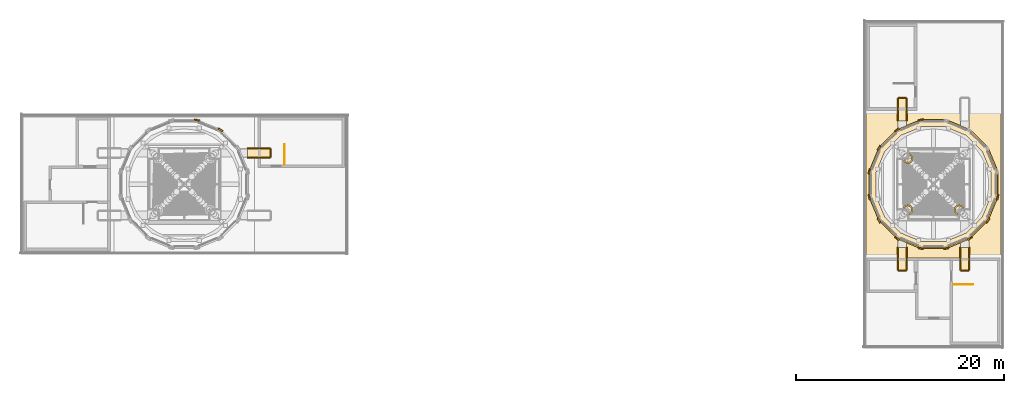
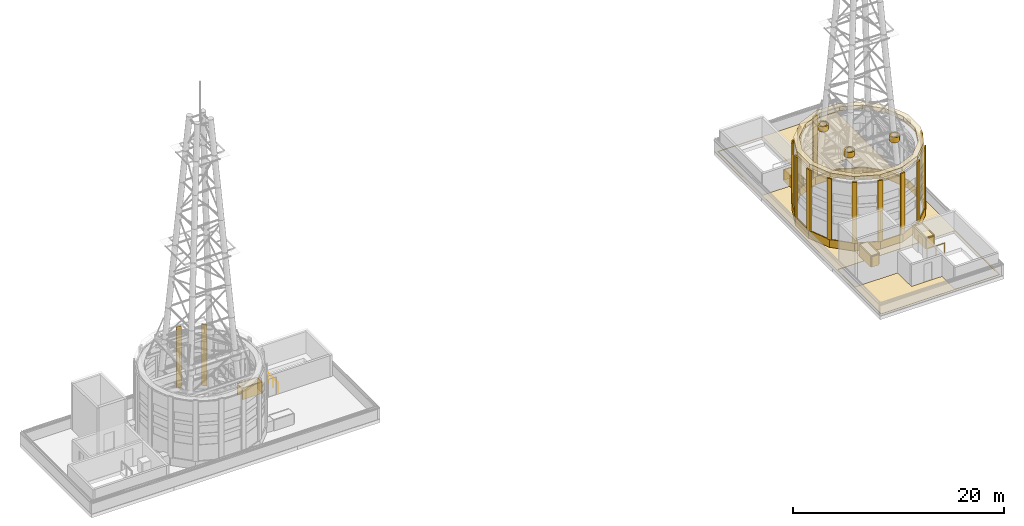
# One storey, part 35 of 36: 37 coverings, 2 railings.
"""IFC4 building model written with IfcOpenShell, lengths in metres."""

import ifcopenshell
import ifcopenshell.guid

model = None  # the IFC model being written
_history = None  # IfcOwnerHistory: only IFC2X3 demands one
_inside = {}  # id of a spatial element -> (the spatial element, [elements in it])
_under = {}  # id of a project, library or spatial element -> (it, [spatial elements below it])
_declared = {}  # id of a project -> (the project, [libraries it declares])
_typed = {}  # id of a type object -> (the type object, [elements of that type])
_made_of = {}  # id of a material, layer set ... -> (it, [elements and type objects made of it])


def new_model(schema):
    """Start an empty IFC model of exactly this schema.

    Asked for "IFC4X3", IfcOpenShell would pick the latest addendum, in which some entities
    have other attributes; the version numbers below select the first issue.
    IFC2X3 requires an IfcOwnerHistory on every rooted entity: one is made here for all.
    """
    global model, _history
    if schema == "IFC4X3":
        model = ifcopenshell.file(schema_version=(4, 3, 0, 0))
    else:
        model = ifcopenshell.file(schema=schema)
    _inside.clear()
    _under.clear()
    _declared.clear()
    _typed.clear()
    _made_of.clear()
    _history = None
    if model.schema == "IFC2X3":
        org = make("IfcOrganization", Name="unknown")
        user = make(
            "IfcPersonAndOrganization",
            ThePerson=make("IfcPerson", FamilyName="unknown"),
            TheOrganization=org,
        )
        app = make(
            "IfcApplication",
            ApplicationDeveloper=org,
            Version="unknown",
            ApplicationFullName="unknown",
            ApplicationIdentifier="unknown",
        )
        _history = make(
            "IfcOwnerHistory",
            OwningUser=user,
            OwningApplication=app,
            ChangeAction="ADDED",
            CreationDate=0,
        )
    return model


def make(cls, **values):
    """One entity of the class cls with the attributes given. An attribute that is None is left unset."""
    return model.create_entity(
        cls, **{name: value for name, value in values.items() if value is not None}
    )


def rooted(cls, **values):
    """An entity with a GlobalId (a new one), such as an element, a storey or a relation."""
    return make(cls, GlobalId=ifcopenshell.guid.new(), OwnerHistory=_history, **values)


def si_unit(unit_type, name, prefix=None):
    """IfcSIUnit, for example si_unit("LENGTHUNIT", "METRE", prefix="MILLI")."""
    return make("IfcSIUnit", UnitType=unit_type, Prefix=prefix, Name=name)


def assignment(units):
    """IfcUnitAssignment: the units of a project."""
    return None if units is None else make("IfcUnitAssignment", Units=units)


def point(xyz):
    """IfcCartesianPoint."""
    return None if xyz is None else make("IfcCartesianPoint", Coordinates=xyz)


def direction(xyz):
    """IfcDirection."""
    return None if xyz is None else make("IfcDirection", DirectionRatios=xyz)


def frame(location, z_axis=None, x_axis=None):
    """IfcAxis2Placement3D, a coordinate frame: its origin and axes. An axis left out is left unset."""
    return make(
        "IfcAxis2Placement3D",
        Location=point(location),
        Axis=direction(z_axis),
        RefDirection=direction(x_axis),
    )


def frame_2d(location, x_axis=None):
    """IfcAxis2Placement2D, a coordinate frame in the plane: its origin and x axis."""
    return make(
        "IfcAxis2Placement2D", Location=point(location), RefDirection=direction(x_axis)
    )


def origin():
    """The frame at (0, 0, 0) with its axes left unset."""
    return frame((0.0, 0.0, 0.0))


def origin_2d():
    """The frame at (0, 0) in the plane with its x axis left unset."""
    return frame_2d((0.0, 0.0))


def place(relative_to, where):
    """IfcLocalPlacement: puts the frame where relative to a parent placement (None: the world)."""
    return make(
        "IfcLocalPlacement", PlacementRelTo=relative_to, RelativePlacement=where
    )


def context(
    kind, dimensions, precision=None, world=None, true_north=None, identifier=None
):
    """IfcGeometricRepresentationContext, for example the 3D "Model" context."""
    return make(
        "IfcGeometricRepresentationContext",
        ContextIdentifier=identifier,
        ContextType=kind,
        CoordinateSpaceDimension=dimensions,
        Precision=precision,
        WorldCoordinateSystem=world,
        TrueNorth=true_north,
    )


def subcontext(parent, identifier, kind, view, scale=None):
    """IfcGeometricRepresentationSubContext, for example "Body" below "Model"."""
    return make(
        "IfcGeometricRepresentationSubContext",
        ContextIdentifier=identifier,
        ContextType=kind,
        ParentContext=parent,
        TargetScale=scale,
        TargetView=view,
    )


def project(units=None, contexts=None):
    """IfcProject with its units and contexts."""
    return rooted(
        "IfcProject",
        Name="project",
        RepresentationContexts=contexts,
        UnitsInContext=assignment(units),
    )


def spatial(cls, under=None, at=None, **own):
    """A site, building, storey or space (cls), placed at a placement, below another one or the project."""
    s = rooted(cls, ObjectPlacement=at, **own)
    if under is not None:
        _under.setdefault(under.id(), (under, []))[1].append(s)
    return s


def polyline(points):
    """IfcPolyline through the points."""
    return make("IfcPolyline", Points=[point(p) for p in points])


def profile(cls, at=None, kind="AREA", **sizes):
    """A parametric profile (cls). Its sizes go by their IFC names, for example OverallWidth=200.0."""
    return make(cls, ProfileType=kind, Position=at, **sizes)


def rectangle(**sizes):
    """IfcRectangleProfileDef."""
    return profile("IfcRectangleProfileDef", **sizes)


def circle(**sizes):
    """IfcCircleProfileDef."""
    return profile("IfcCircleProfileDef", **sizes)


def outline(outer, holes=None, kind="AREA"):
    """IfcArbitraryClosedProfileDef: a profile drawn as a closed curve; with holes, ...WithVoids."""
    if holes is None:
        return make("IfcArbitraryClosedProfileDef", ProfileType=kind, OuterCurve=outer)
    return make(
        "IfcArbitraryProfileDefWithVoids",
        ProfileType=kind,
        OuterCurve=outer,
        InnerCurves=holes,
    )


def extrude(swept, where, along, depth):
    """IfcExtrudedAreaSolid: the profile swept, set in the frame where, extruded along a direction by depth."""
    return make(
        "IfcExtrudedAreaSolid",
        SweptArea=swept,
        Position=where,
        ExtrudedDirection=direction(along),
        Depth=depth,
    )


def shape(context_of_items, identifier, shape_type, items):
    """IfcShapeRepresentation: the items that make up one representation, for example the "Body"."""
    return make(
        "IfcShapeRepresentation",
        ContextOfItems=context_of_items,
        RepresentationIdentifier=identifier,
        RepresentationType=shape_type,
        Items=items,
    )


def material(Name=None, Category=None):
    """IfcMaterial."""
    return make("IfcMaterial", Name=Name, Category=Category)


def layer(
    of_material, thickness, ventilated=None, Name=None, Category=None, Priority=None
):
    """IfcMaterialLayer: one layer of a wall or slab, of a material (None: an air gap)."""
    return make(
        "IfcMaterialLayer",
        Material=of_material,
        LayerThickness=thickness,
        IsVentilated=ventilated,
        Name=Name,
        Category=Category,
        Priority=Priority,
    )


def layer_set(layers, Name=None):
    """IfcMaterialLayerSet."""
    return make("IfcMaterialLayerSet", MaterialLayers=layers, LayerSetName=Name)


def made_of(thing, what):
    """Note that an element or type object is made of a material, layer set ...; save() writes the relation."""
    if what is not None:
        _made_of.setdefault(what.id(), (what, []))[1].append(thing)
    return thing


def type_object(cls, material=None, **own):
    """A type object (cls), such as IfcWallType, which elements share."""
    return made_of(rooted(cls, **own), material)


def element(
    cls,
    number,
    at=None,
    inside=None,
    cuts=None,
    type_object=None,
    material=None,
    context=None,
    identifier="Body",
    shape_type=None,
    held_by="IfcProductDefinitionShape",
    body=None,
    shapes=None,
    **own,
):
    """One element of the class cls, such as IfcWall. Its Tag is "e" and its number.

    at: its placement. inside: the storey or other place that contains it. cuts: it is an
    opening in that element (IfcRelVoidsElement). A single representation is given by context,
    identifier, shape_type and body (its items); several are given by shapes. held_by: the class
    of the entity that holds the representations. save() writes the other relations.
    """
    e = rooted(cls, Tag="e%d" % number, ObjectPlacement=at, **own)
    if body is not None:
        shapes = [shape(context, identifier, shape_type, body)]
    if shapes is not None:
        e.Representation = make(held_by, Representations=shapes)
    if inside is not None:
        _inside.setdefault(inside.id(), (inside, []))[1].append(e)
    if cuts is not None:
        rooted(
            "IfcRelVoidsElement", RelatingBuildingElement=cuts, RelatedOpeningElement=e
        )
    if type_object is not None:
        _typed.setdefault(type_object.id(), (type_object, []))[1].append(e)
    return made_of(e, material)


def aggregate(whole, parts):
    """IfcRelAggregates: a whole, such as a stair, and the parts it consists of."""
    return rooted("IfcRelAggregates", RelatingObject=whole, RelatedObjects=parts)


def save(model, path):
    """Write the relations noted so far, then the file.

    IfcRelAggregates (storeys below a building ...), IfcRelContainedInSpatialStructure (elements
    in a storey), IfcRelDefinesByType, IfcRelAssociatesMaterial and IfcRelDeclares: one each for
    every whole, place, type object, material and project.
    """
    for whole, parts in _under.values():
        aggregate(whole, parts)
    for where, things in _inside.values():
        rooted(
            "IfcRelContainedInSpatialStructure",
            RelatedElements=things,
            RelatingStructure=where,
        )
    for kind, things in _typed.values():
        rooted("IfcRelDefinesByType", RelatedObjects=things, RelatingType=kind)
    for what, things in _made_of.values():
        rooted("IfcRelAssociatesMaterial", RelatedObjects=things, RelatingMaterial=what)
    for by, libraries in _declared.values():
        rooted("IfcRelDeclares", RelatingContext=by, RelatedDefinitions=libraries)
    model.write(path)


model = new_model("IFC4")

# Units and contexts
model_context = context("Model", 3, precision=1e-05, world=origin(), true_north=direction((0.0, 1.0)))
body_context = subcontext(model_context, "Body", "Model", "MODEL_VIEW")
ifc_project = project(units=[si_unit("LENGTHUNIT", "METRE"), si_unit("AREAUNIT", "SQUARE_METRE"), si_unit("VOLUMEUNIT", "CUBIC_METRE"), si_unit("PLANEANGLEUNIT", "RADIAN"), si_unit("MASSUNIT", "GRAM", prefix="KILO")], contexts=[model_context])

# Site, building, storey
site_placement = place(None, origin())
site = spatial("IfcSite", under=ifc_project, at=site_placement, CompositionType="ELEMENT")
building_placement = place(site_placement, origin())
building = spatial("IfcBuilding", under=site, at=building_placement, Name="Ipe Terrace Towers", CompositionType="ELEMENT")
storey_placement = place(building_placement, frame((0.0, 0.0, 264.89990234375)))
storey = spatial("IfcBuildingStorey", under=building, at=storey_placement, Name="Roof", CompositionType="ELEMENT", Elevation=264.89990234375)

# Coverings
ifc_material_1 = material(Name="Concrete C50/60 precast, buff finish", Category="concrete")
ifc_layer_1 = layer(ifc_material_1, 0.1201171875)
ifc_layer_set_1 = layer_set([ifc_layer_1], Name="DRUM BASE COURSE 120")
covering_type_1 = type_object("IfcCoveringType", Name="DRUM BASE COURSE 120", PredefinedType="CLADDING", material=ifc_layer_set_1)
covering_1_placement = place(storey_placement, frame((0.0, 0.0, 0.0400390625)))
element("IfcCovering", 1, at=covering_1_placement, inside=storey, type_object=covering_type_1, Name="drum stone base course", PredefinedType="CLADDING", context=body_context, shape_type="SweptSolid", body=[
    extrude(outline(polyline([(42.200927734375, -1.23291015625), (41.257080078125, -3.512939453125), (39.512939453125, -5.257080078125), (37.23291015625, -6.200927734375), (34.76708984375, -6.200927734375), (32.487060546875, -5.257080078125), (30.742919921875, -3.512939453125), (29.799072265625, -1.23291015625), (29.799072265625, 1.23291015625), (30.742919921875, 3.512939453125), (32.487060546875, 5.257080078125), (34.76708984375, 6.200927734375), (37.23291015625, 6.200927734375), (39.512939453125, 5.257080078125), (41.257080078125, 3.512939453125), (42.200927734375, 1.23291015625), (42.200927734375, -1.23291015625)]), holes=[polyline([(41.155029296875, 3.445068359375), (39.445068359375, 5.155029296875), (37.2099609375, 6.0810546875), (34.7900390625, 6.0810546875), (32.554931640625, 5.155029296875), (30.844970703125, 3.445068359375), (29.9189453125, 1.2099609375), (29.9189453125, -1.2099609375), (30.844970703125, -3.445068359375), (32.554931640625, -5.155029296875), (34.7900390625, -6.0810546875), (37.2099609375, -6.0810546875), (39.445068359375, -5.155029296875), (41.155029296875, -3.445068359375), (42.0810546875, -1.2099609375), (42.0810546875, 1.2099609375), (41.155029296875, 3.445068359375)])]), origin(), (0.0, 0.0, 1.0), 0.900146484375),
])
ifc_material_2 = material(Name="Concrete C50/60 precast, buff finish", Category="concrete")
ifc_layer_2 = layer(ifc_material_2, 0.449951171875)
ifc_layer_set_2 = layer_set([ifc_layer_2], Name="DRUM CORNICE 450")
covering_type_2 = type_object("IfcCoveringType", Name="DRUM CORNICE 450", PredefinedType="CLADDING", material=ifc_layer_set_2)
covering_2_placement = place(storey_placement, frame((0.0, 0.0, 8.110107421875)))
element("IfcCovering", 2, at=covering_2_placement, inside=storey, type_object=covering_type_2, Name="drum stone cornice", PredefinedType="CLADDING", context=body_context, shape_type="SweptSolid", body=[
    extrude(outline(polyline([(42.0810546875, -1.2099609375), (41.155029296875, -3.445068359375), (39.445068359375, -5.155029296875), (37.2099609375, -6.0810546875), (34.7900390625, -6.0810546875), (32.554931640625, -5.155029296875), (30.844970703125, -3.445068359375), (29.9189453125, -1.2099609375), (29.9189453125, 1.2099609375), (30.844970703125, 3.445068359375), (32.554931640625, 5.155029296875), (34.7900390625, 6.0810546875), (37.2099609375, 6.0810546875), (39.445068359375, 5.155029296875), (41.155029296875, 3.445068359375), (42.0810546875, 1.2099609375), (42.0810546875, -1.2099609375)]), holes=[polyline([(40.68896484375, 3.133056640625), (39.133056640625, 4.68896484375), (37.10009765625, 5.531005859375), (34.89990234375, 5.531005859375), (32.866943359375, 4.68896484375), (31.31103515625, 3.133056640625), (30.468994140625, 1.10009765625), (30.468994140625, -1.10009765625), (31.31103515625, -3.133056640625), (32.866943359375, -4.68896484375), (34.89990234375, -5.531005859375), (37.10009765625, -5.531005859375), (39.133056640625, -4.68896484375), (40.68896484375, -3.133056640625), (41.531005859375, -1.10009765625), (41.531005859375, 1.10009765625), (40.68896484375, 3.133056640625)])]), origin(), (0.0, 0.0, 1.0), 0.449951171875),
])
ifc_material_3 = material(Name="Concrete C50/60 precast, buff finish", Category="concrete")
ifc_layer_3 = layer(ifc_material_3, 0.14990234375)
ifc_layer_set_3 = layer_set([ifc_layer_3], Name="DRUM PILASTER 150")
covering_type_3 = type_object("IfcCoveringType", Name="DRUM PILASTER 150", PredefinedType="CLADDING", material=ifc_layer_set_3)
for number, where, z_axis, x_axis, name in (
    (3, (-32.513916015625, 5.217041015625, 0.940185546875), (0.0, 0.0, 1.0), (0.55557023302, 0.831469612303, 0.0), "drum stone pilaster"),
    (4, (-34.77587890625, 6.154052734375, 0.940185546875), (0.0, 0.0, 1.0), (0.195090322016, 0.980785280403, 0.0), "drum stone pilaster"),
    (5, (34.77587890625, 6.154052734375, 0.940185546875), (0.0, 0.0, 1.0), (-0.195090322016, 0.980785280403, 0.0), "drum stone pilaster"),
    (6, (32.513916015625, 5.217041015625, 0.940185546875), (0.0, 0.0, 1.0), (-0.55557023302, 0.831469612303, 0.0), "drum stone pilaster"),
    (7, (30.782958984375, 3.486083984375, 0.940185546875), (0.0, 0.0, 1.0), (-0.831469612303, 0.55557023302, 0.0), "drum stone pilaster"),
    (8, (29.845947265625, 1.22412109375, 0.940185546875), (0.0, 0.0, 1.0), (-0.980785280403, 0.195090322016, 0.0), "drum stone pilaster"),
    (9, (29.845947265625, -1.22412109375, 0.940185546875), (0.0, 0.0, 1.0), (-0.980785280403, -0.195090322016, 0.0), "drum stone pilaster"),
    (10, (30.782958984375, -3.486083984375, 0.940185546875), (0.0, 0.0, 1.0), (-0.831469612303, -0.55557023302, 0.0), "drum stone pilaster"),
    (11, (32.513916015625, -5.217041015625, 0.940185546875), (0.0, 0.0, 1.0), (-0.55557023302, -0.831469612303, 0.0), "drum stone pilaster"),
    (12, (34.77587890625, -6.154052734375, 0.940185546875), (0.0, 0.0, 1.0), (-0.195090322016, -0.980785280403, 0.0), "drum stone pilaster"),
    (13, (37.22412109375, -6.154052734375, 0.940185546875), (0.0, 0.0, 1.0), (0.195090322016, -0.980785280403, 0.0), "drum stone pilaster"),
    (14, (39.486083984375, -5.217041015625, 0.940185546875), (0.0, 0.0, 1.0), (0.55557023302, -0.831469612303, 0.0), "drum stone pilaster"),
    (15, (41.217041015625, -3.486083984375, 0.940185546875), (0.0, 0.0, 1.0), (0.831469612303, -0.55557023302, 0.0), "drum stone pilaster"),
    (16, (42.154052734375, -1.22412109375, 0.940185546875), (0.0, 0.0, 1.0), (0.980785280403, -0.195090322016, 0.0), "drum stone pilaster"),
):
    element("IfcCovering", number, at=place(storey_placement, frame(where, z_axis=z_axis, x_axis=x_axis)), inside=storey, type_object=covering_type_3, Name=name, PredefinedType="CLADDING", context=body_context, shape_type="SweptSolid", body=[
        extrude(rectangle(XDim=0.14990234375, YDim=0.5, at=origin_2d()), origin(), (0.0, 0.0, 1.0), 7.06005859375),
    ])
ifc_material_4 = material(Name="Concrete C50/60 precast, buff finish", Category="concrete")
ifc_layer_4 = layer(ifc_material_4, 0.10009765625)
ifc_layer_set_4 = layer_set([ifc_layer_4], Name="GIRDER CASING 100")
covering_type_4 = type_object("IfcCoveringType", Name="GIRDER CASING 100", PredefinedType="CLADDING", material=ifc_layer_set_4)
covering_3_placement = place(storey_placement, origin())
element("IfcCovering", 17, at=covering_3_placement, inside=storey, type_object=covering_type_4, Name="girder stone casing", PredefinedType="CLADDING", context=body_context, shape_type="SweptSolid", body=[
    extrude(outline(polyline([(-29.9189453125, 2.5), (-27.75, 2.5), (-27.75, 2.60009765625), (-29.9189453125, 2.60009765625), (-29.9189453125, 2.5)])), origin(), (0.0, 0.0, 1.0), 1.300048828125),
])
covering_4_placement = place(storey_placement, origin())
element("IfcCovering", 18, at=covering_4_placement, inside=storey, type_object=covering_type_4, Name="girder stone casing", PredefinedType="CLADDING", context=body_context, shape_type="SweptSolid", body=[
    extrude(outline(polyline([(-29.9189453125, 3.39990234375), (-27.75, 3.39990234375), (-27.75, 3.5), (-29.9189453125, 3.5), (-29.9189453125, 3.39990234375)])), origin(), (0.0, 0.0, 1.0), 1.300048828125),
])
covering_5_placement = place(storey_placement, frame((0.0, 0.0, 1.2001953125)))
element("IfcCovering", 19, at=covering_5_placement, inside=storey, type_object=covering_type_4, Name="girder stone casing", PredefinedType="CLADDING", context=body_context, shape_type="SweptSolid", body=[
    extrude(outline(polyline([(-29.9189453125, 2.60009765625), (-27.75, 2.60009765625), (-27.75, 3.39990234375), (-29.9189453125, 3.39990234375), (-29.9189453125, 2.60009765625)])), origin(), (0.0, 0.0, 1.0), 0.099853515625),
])
covering_6_placement = place(storey_placement, origin())
element("IfcCovering", 20, at=covering_6_placement, inside=storey, type_object=covering_type_4, Name="girder stone casing", PredefinedType="CLADDING", context=body_context, shape_type="SweptSolid", body=[
    extrude(outline(polyline([(-27.75, 2.60009765625), (-27.64990234375, 2.60009765625), (-27.64990234375, 3.39990234375), (-27.75, 3.39990234375), (-27.75, 2.60009765625)])), origin(), (0.0, 0.0, 1.0), 1.2001953125),
])
covering_7_placement = place(storey_placement, origin())
element("IfcCovering", 21, at=covering_7_placement, inside=storey, type_object=covering_type_4, Name="girder stone casing", PredefinedType="CLADDING", context=body_context, shape_type="SweptSolid", body=[
    extrude(outline(polyline([(39.5, -8.25), (39.5, -6.0810546875), (39.39990234375, -6.0810546875), (39.39990234375, -8.25), (39.5, -8.25)])), origin(), (0.0, 0.0, 1.0), 1.300048828125),
])
covering_8_placement = place(storey_placement, origin())
element("IfcCovering", 22, at=covering_8_placement, inside=storey, type_object=covering_type_4, Name="girder stone casing", PredefinedType="CLADDING", context=body_context, shape_type="SweptSolid", body=[
    extrude(outline(polyline([(38.60009765625, -8.25), (38.60009765625, -6.0810546875), (38.5, -6.0810546875), (38.5, -8.25), (38.60009765625, -8.25)])), origin(), (0.0, 0.0, 1.0), 1.300048828125),
])
covering_9_placement = place(storey_placement, frame((0.0, 0.0, 1.2001953125)))
element("IfcCovering", 23, at=covering_9_placement, inside=storey, type_object=covering_type_4, Name="girder stone casing", PredefinedType="CLADDING", context=body_context, shape_type="SweptSolid", body=[
    extrude(outline(polyline([(39.39990234375, -8.25), (39.39990234375, -6.0810546875), (38.60009765625, -6.0810546875), (38.60009765625, -8.25), (39.39990234375, -8.25)])), origin(), (0.0, 0.0, 1.0), 0.099853515625),
])
covering_10_placement = place(storey_placement, origin())
element("IfcCovering", 24, at=covering_10_placement, inside=storey, type_object=covering_type_4, Name="girder stone casing", PredefinedType="CLADDING", context=body_context, shape_type="SweptSolid", body=[
    extrude(outline(polyline([(39.39990234375, -8.35009765625), (39.39990234375, -8.25), (38.60009765625, -8.25), (38.60009765625, -8.35009765625), (39.39990234375, -8.35009765625)])), origin(), (0.0, 0.0, 1.0), 1.2001953125),
])
covering_11_placement = place(storey_placement, origin())
element("IfcCovering", 25, at=covering_11_placement, inside=storey, type_object=covering_type_4, Name="girder stone casing", PredefinedType="CLADDING", context=body_context, shape_type="SweptSolid", body=[
    extrude(outline(polyline([(33.5, -8.25), (33.5, -6.0810546875), (33.39990234375, -6.0810546875), (33.39990234375, -8.25), (33.5, -8.25)])), origin(), (0.0, 0.0, 1.0), 1.300048828125),
])
covering_12_placement = place(storey_placement, origin())
element("IfcCovering", 26, at=covering_12_placement, inside=storey, type_object=covering_type_4, Name="girder stone casing", PredefinedType="CLADDING", context=body_context, shape_type="SweptSolid", body=[
    extrude(outline(polyline([(32.60009765625, -8.25), (32.60009765625, -6.0810546875), (32.5, -6.0810546875), (32.5, -8.25), (32.60009765625, -8.25)])), origin(), (0.0, 0.0, 1.0), 1.300048828125),
])
covering_13_placement = place(storey_placement, frame((0.0, 0.0, 1.2001953125)))
element("IfcCovering", 27, at=covering_13_placement, inside=storey, type_object=covering_type_4, Name="girder stone casing", PredefinedType="CLADDING", context=body_context, shape_type="SweptSolid", body=[
    extrude(outline(polyline([(33.39990234375, -8.25), (33.39990234375, -6.0810546875), (32.60009765625, -6.0810546875), (32.60009765625, -8.25), (33.39990234375, -8.25)])), origin(), (0.0, 0.0, 1.0), 0.099853515625),
])
covering_14_placement = place(storey_placement, origin())
element("IfcCovering", 28, at=covering_14_placement, inside=storey, type_object=covering_type_4, Name="girder stone casing", PredefinedType="CLADDING", context=body_context, shape_type="SweptSolid", body=[
    extrude(outline(polyline([(33.39990234375, -8.35009765625), (33.39990234375, -8.25), (32.60009765625, -8.25), (32.60009765625, -8.35009765625), (33.39990234375, -8.35009765625)])), origin(), (0.0, 0.0, 1.0), 1.2001953125),
])
covering_15_placement = place(storey_placement, origin())
element("IfcCovering", 29, at=covering_15_placement, inside=storey, type_object=covering_type_4, Name="girder stone casing", PredefinedType="CLADDING", context=body_context, shape_type="SweptSolid", body=[
    extrude(outline(polyline([(33.5, 6.0810546875), (33.5, 8.25), (33.39990234375, 8.25), (33.39990234375, 6.0810546875), (33.5, 6.0810546875)])), origin(), (0.0, 0.0, 1.0), 1.300048828125),
])
covering_16_placement = place(storey_placement, origin())
element("IfcCovering", 30, at=covering_16_placement, inside=storey, type_object=covering_type_4, Name="girder stone casing", PredefinedType="CLADDING", context=body_context, shape_type="SweptSolid", body=[
    extrude(outline(polyline([(32.60009765625, 6.0810546875), (32.60009765625, 8.25), (32.5, 8.25), (32.5, 6.0810546875), (32.60009765625, 6.0810546875)])), origin(), (0.0, 0.0, 1.0), 1.300048828125),
])
covering_17_placement = place(storey_placement, frame((0.0, 0.0, 1.2001953125)))
element("IfcCovering", 31, at=covering_17_placement, inside=storey, type_object=covering_type_4, Name="girder stone casing", PredefinedType="CLADDING", context=body_context, shape_type="SweptSolid", body=[
    extrude(outline(polyline([(33.39990234375, 6.0810546875), (33.39990234375, 8.25), (32.60009765625, 8.25), (32.60009765625, 6.0810546875), (33.39990234375, 6.0810546875)])), origin(), (0.0, 0.0, 1.0), 0.099853515625),
])
covering_18_placement = place(storey_placement, origin())
element("IfcCovering", 32, at=covering_18_placement, inside=storey, type_object=covering_type_4, Name="girder stone casing", PredefinedType="CLADDING", context=body_context, shape_type="SweptSolid", body=[
    extrude(outline(polyline([(33.39990234375, 8.25), (33.39990234375, 8.35009765625), (32.60009765625, 8.35009765625), (32.60009765625, 8.25), (33.39990234375, 8.25)])), origin(), (0.0, 0.0, 1.0), 1.2001953125),
])
ifc_material_5 = material(Name="Concrete C50/60 precast, buff finish", Category="concrete")
ifc_layer_5 = layer(ifc_material_5, 0.139892578125)
ifc_layer_set_5 = layer_set([ifc_layer_5], Name="MAST COLLAR SLEEVE 140")
covering_type_5 = type_object("IfcCoveringType", Name="MAST COLLAR SLEEVE 140", PredefinedType="CLADDING", material=ifc_layer_set_5)
covering_19_placement = place(storey_placement, frame((0.0, 0.0, 9.110107421875)))
element("IfcCovering", 33, at=covering_19_placement, inside=storey, type_object=covering_type_5, Name="mast stone collar", PredefinedType="CLADDING", context=body_context, shape_type="SweptSolid", body=[
    extrude(outline(polyline([(38.967041015625, -2.537109375), (38.955078125, -2.60107421875), (38.93408203125, -2.6630859375), (38.905029296875, -2.721923828125), (38.867919921875, -2.77587890625), (38.824951171875, -2.824951171875), (38.77587890625, -2.867919921875), (38.721923828125, -2.905029296875), (38.6630859375, -2.93408203125), (38.60107421875, -2.955078125), (38.537109375, -2.967041015625), (38.471923828125, -2.971923828125), (38.406005859375, -2.967041015625), (38.342041015625, -2.955078125), (38.280029296875, -2.93408203125), (38.221923828125, -2.905029296875), (38.1669921875, -2.867919921875), (38.117919921875, -2.824951171875), (38.074951171875, -2.77587890625), (38.0390625, -2.721923828125), (38.010009765625, -2.6630859375), (37.989013671875, -2.60107421875), (37.97607421875, -2.537109375), (37.971923828125, -2.471923828125), (37.97607421875, -2.406005859375), (37.989013671875, -2.342041015625), (38.010009765625, -2.280029296875), (38.0390625, -2.221923828125), (38.074951171875, -2.1669921875), (38.117919921875, -2.117919921875), (38.1669921875, -2.074951171875), (38.221923828125, -2.0390625), (38.280029296875, -2.010009765625), (38.342041015625, -1.989013671875), (38.406005859375, -1.97607421875), (38.471923828125, -1.971923828125), (38.537109375, -1.97607421875), (38.60107421875, -1.989013671875), (38.6630859375, -2.010009765625), (38.721923828125, -2.0390625), (38.77587890625, -2.074951171875), (38.824951171875, -2.117919921875), (38.867919921875, -2.1669921875), (38.905029296875, -2.221923828125), (38.93408203125, -2.280029296875), (38.955078125, -2.342041015625), (38.967041015625, -2.406005859375), (38.971923828125, -2.471923828125), (38.967041015625, -2.537109375)]), holes=[polyline([(38.8291015625, -2.425048828125), (38.819091796875, -2.3779296875), (38.803955078125, -2.333984375), (38.782958984375, -2.2919921875), (38.757080078125, -2.2529296875), (38.72607421875, -2.217041015625), (38.69091796875, -2.18603515625), (38.652099609375, -2.159912109375), (38.60888671875, -2.138916015625), (38.56494140625, -2.1240234375), (38.51904296875, -2.114990234375), (38.471923828125, -2.112060546875), (38.425048828125, -2.114990234375), (38.3779296875, -2.1240234375), (38.333984375, -2.138916015625), (38.2919921875, -2.159912109375), (38.2529296875, -2.18603515625), (38.217041015625, -2.217041015625), (38.18603515625, -2.2529296875), (38.159912109375, -2.2919921875), (38.138916015625, -2.333984375), (38.1240234375, -2.3779296875), (38.114990234375, -2.425048828125), (38.112060546875, -2.471923828125), (38.114990234375, -2.51904296875), (38.1240234375, -2.56494140625), (38.138916015625, -2.60888671875), (38.159912109375, -2.652099609375), (38.18603515625, -2.69091796875), (38.217041015625, -2.72607421875), (38.2529296875, -2.757080078125), (38.2919921875, -2.782958984375), (38.333984375, -2.803955078125), (38.3779296875, -2.819091796875), (38.425048828125, -2.8291015625), (38.471923828125, -2.83203125), (38.51904296875, -2.8291015625), (38.56494140625, -2.819091796875), (38.60888671875, -2.803955078125), (38.652099609375, -2.782958984375), (38.69091796875, -2.757080078125), (38.72607421875, -2.72607421875), (38.757080078125, -2.69091796875), (38.782958984375, -2.652099609375), (38.803955078125, -2.60888671875), (38.819091796875, -2.56494140625), (38.8291015625, -2.51904296875), (38.83203125, -2.471923828125), (38.8291015625, -2.425048828125)])]), origin(), (0.0, 0.0, 1.0), 0.60009765625),
])
covering_20_placement = place(storey_placement, frame((0.0, 0.0, 9.110107421875)))
element("IfcCovering", 34, at=covering_20_placement, inside=storey, type_object=covering_type_5, Name="mast stone collar", PredefinedType="CLADDING", context=body_context, shape_type="SweptSolid", body=[
    extrude(outline(polyline([(34.02392578125, -2.537109375), (34.010986328125, -2.60107421875), (33.989990234375, -2.6630859375), (33.9609375, -2.721923828125), (33.925048828125, -2.77587890625), (33.882080078125, -2.824951171875), (33.8330078125, -2.867919921875), (33.778076171875, -2.905029296875), (33.719970703125, -2.93408203125), (33.657958984375, -2.955078125), (33.593994140625, -2.967041015625), (33.528076171875, -2.971923828125), (33.462890625, -2.967041015625), (33.39892578125, -2.955078125), (33.3369140625, -2.93408203125), (33.278076171875, -2.905029296875), (33.22412109375, -2.867919921875), (33.175048828125, -2.824951171875), (33.132080078125, -2.77587890625), (33.094970703125, -2.721923828125), (33.06591796875, -2.6630859375), (33.044921875, -2.60107421875), (33.032958984375, -2.537109375), (33.028076171875, -2.471923828125), (33.032958984375, -2.406005859375), (33.044921875, -2.342041015625), (33.06591796875, -2.280029296875), (33.094970703125, -2.221923828125), (33.132080078125, -2.1669921875), (33.175048828125, -2.117919921875), (33.22412109375, -2.074951171875), (33.278076171875, -2.0390625), (33.3369140625, -2.010009765625), (33.39892578125, -1.989013671875), (33.462890625, -1.97607421875), (33.528076171875, -1.971923828125), (33.593994140625, -1.97607421875), (33.657958984375, -1.989013671875), (33.719970703125, -2.010009765625), (33.778076171875, -2.0390625), (33.8330078125, -2.074951171875), (33.882080078125, -2.117919921875), (33.925048828125, -2.1669921875), (33.9609375, -2.221923828125), (33.989990234375, -2.280029296875), (34.010986328125, -2.342041015625), (34.02392578125, -2.406005859375), (34.028076171875, -2.471923828125), (34.02392578125, -2.537109375)]), holes=[polyline([(33.885009765625, -2.425048828125), (33.8759765625, -2.3779296875), (33.861083984375, -2.333984375), (33.840087890625, -2.2919921875), (33.81396484375, -2.2529296875), (33.782958984375, -2.217041015625), (33.7470703125, -2.18603515625), (33.7080078125, -2.159912109375), (33.666015625, -2.138916015625), (33.6220703125, -2.1240234375), (33.574951171875, -2.114990234375), (33.528076171875, -2.112060546875), (33.48095703125, -2.114990234375), (33.43505859375, -2.1240234375), (33.39111328125, -2.138916015625), (33.347900390625, -2.159912109375), (33.30908203125, -2.18603515625), (33.27392578125, -2.217041015625), (33.242919921875, -2.2529296875), (33.217041015625, -2.2919921875), (33.196044921875, -2.333984375), (33.180908203125, -2.3779296875), (33.1708984375, -2.425048828125), (33.16796875, -2.471923828125), (33.1708984375, -2.51904296875), (33.180908203125, -2.56494140625), (33.196044921875, -2.60888671875), (33.217041015625, -2.652099609375), (33.242919921875, -2.69091796875), (33.27392578125, -2.72607421875), (33.30908203125, -2.757080078125), (33.347900390625, -2.782958984375), (33.39111328125, -2.803955078125), (33.43505859375, -2.819091796875), (33.48095703125, -2.8291015625), (33.528076171875, -2.83203125), (33.574951171875, -2.8291015625), (33.6220703125, -2.819091796875), (33.666015625, -2.803955078125), (33.7080078125, -2.782958984375), (33.7470703125, -2.757080078125), (33.782958984375, -2.72607421875), (33.81396484375, -2.69091796875), (33.840087890625, -2.652099609375), (33.861083984375, -2.60888671875), (33.8759765625, -2.56494140625), (33.885009765625, -2.51904296875), (33.887939453125, -2.471923828125), (33.885009765625, -2.425048828125)])]), origin(), (0.0, 0.0, 1.0), 0.60009765625),
])
covering_21_placement = place(storey_placement, frame((0.0, 0.0, 9.110107421875)))
element("IfcCovering", 35, at=covering_21_placement, inside=storey, type_object=covering_type_5, Name="mast stone collar", PredefinedType="CLADDING", context=body_context, shape_type="SweptSolid", body=[
    extrude(outline(polyline([(34.02392578125, 2.406005859375), (34.010986328125, 2.342041015625), (33.989990234375, 2.280029296875), (33.9609375, 2.221923828125), (33.925048828125, 2.1669921875), (33.882080078125, 2.117919921875), (33.8330078125, 2.074951171875), (33.778076171875, 2.0390625), (33.719970703125, 2.010009765625), (33.657958984375, 1.989013671875), (33.593994140625, 1.97607421875), (33.528076171875, 1.971923828125), (33.462890625, 1.97607421875), (33.39892578125, 1.989013671875), (33.3369140625, 2.010009765625), (33.278076171875, 2.0390625), (33.22412109375, 2.074951171875), (33.175048828125, 2.117919921875), (33.132080078125, 2.1669921875), (33.094970703125, 2.221923828125), (33.06591796875, 2.280029296875), (33.044921875, 2.342041015625), (33.032958984375, 2.406005859375), (33.028076171875, 2.471923828125), (33.032958984375, 2.537109375), (33.044921875, 2.60107421875), (33.06591796875, 2.6630859375), (33.094970703125, 2.721923828125), (33.132080078125, 2.77587890625), (33.175048828125, 2.824951171875), (33.22412109375, 2.867919921875), (33.278076171875, 2.905029296875), (33.3369140625, 2.93408203125), (33.39892578125, 2.955078125), (33.462890625, 2.967041015625), (33.528076171875, 2.971923828125), (33.593994140625, 2.967041015625), (33.657958984375, 2.955078125), (33.719970703125, 2.93408203125), (33.778076171875, 2.905029296875), (33.8330078125, 2.867919921875), (33.882080078125, 2.824951171875), (33.925048828125, 2.77587890625), (33.9609375, 2.721923828125), (33.989990234375, 2.6630859375), (34.010986328125, 2.60107421875), (34.02392578125, 2.537109375), (34.028076171875, 2.471923828125), (34.02392578125, 2.406005859375)]), holes=[polyline([(33.885009765625, 2.51904296875), (33.8759765625, 2.56494140625), (33.861083984375, 2.60888671875), (33.840087890625, 2.652099609375), (33.81396484375, 2.69091796875), (33.782958984375, 2.72607421875), (33.7470703125, 2.757080078125), (33.7080078125, 2.782958984375), (33.666015625, 2.803955078125), (33.6220703125, 2.819091796875), (33.574951171875, 2.8291015625), (33.528076171875, 2.83203125), (33.48095703125, 2.8291015625), (33.43505859375, 2.819091796875), (33.39111328125, 2.803955078125), (33.347900390625, 2.782958984375), (33.30908203125, 2.757080078125), (33.27392578125, 2.72607421875), (33.242919921875, 2.69091796875), (33.217041015625, 2.652099609375), (33.196044921875, 2.60888671875), (33.180908203125, 2.56494140625), (33.1708984375, 2.51904296875), (33.16796875, 2.471923828125), (33.1708984375, 2.425048828125), (33.180908203125, 2.3779296875), (33.196044921875, 2.333984375), (33.217041015625, 2.2919921875), (33.242919921875, 2.2529296875), (33.27392578125, 2.217041015625), (33.30908203125, 2.18603515625), (33.347900390625, 2.159912109375), (33.39111328125, 2.138916015625), (33.43505859375, 2.1240234375), (33.48095703125, 2.114990234375), (33.528076171875, 2.112060546875), (33.574951171875, 2.114990234375), (33.6220703125, 2.1240234375), (33.666015625, 2.138916015625), (33.7080078125, 2.159912109375), (33.7470703125, 2.18603515625), (33.782958984375, 2.217041015625), (33.81396484375, 2.2529296875), (33.840087890625, 2.2919921875), (33.861083984375, 2.333984375), (33.8759765625, 2.3779296875), (33.885009765625, 2.425048828125), (33.887939453125, 2.471923828125), (33.885009765625, 2.51904296875)])]), origin(), (0.0, 0.0, 1.0), 0.60009765625),
])
ifc_material_6 = material(Name="Bitumen membrane roofing")
ifc_layer_6 = layer(ifc_material_6, 0.0400390625)
ifc_layer_set_6 = layer_set([ifc_layer_6], Name="ROOFING MEMBRANE 40")
covering_type_6 = type_object("IfcCoveringType", Name="ROOFING MEMBRANE 40", PredefinedType="ROOFING", material=ifc_layer_set_6)
covering_22_placement = place(storey_placement, origin())
element("IfcCovering", 36, at=covering_22_placement, inside=storey, type_object=covering_type_6, Name="T2 roofing", PredefinedType="ROOFING", context=body_context, shape_type="SweptSolid", body=[
    extrude(outline(polyline([(42.5, -15.5), (29.5, -15.5), (29.5, 15.5), (42.5, 15.5), (42.5, -15.5)]), holes=[polyline([(39.419921875, 5.1650390625), (39.419921875, 8.25), (39.419921875, 8.251953125), (39.419921875, 8.25390625), (39.4189453125, 8.256103515625), (39.41796875, 8.258056640625), (39.41796875, 8.259033203125), (39.4169921875, 8.260986328125), (39.4150390625, 8.262939453125), (39.4140625, 8.263916015625), (39.4130859375, 8.264892578125), (39.410888671875, 8.26708984375), (39.408935546875, 8.26806640625), (39.407958984375, 8.26806640625), (39.406005859375, 8.26904296875), (39.404052734375, 8.27001953125), (39.402099609375, 8.27001953125), (39.39990234375, 8.27001953125), (38.60009765625, 8.27001953125), (38.597900390625, 8.27001953125), (38.595947265625, 8.27001953125), (38.593994140625, 8.26904296875), (38.592041015625, 8.26806640625), (38.591064453125, 8.26806640625), (38.589111328125, 8.26708984375), (38.5869140625, 8.264892578125), (38.5859375, 8.263916015625), (38.5849609375, 8.262939453125), (38.5830078125, 8.260986328125), (38.58203125, 8.259033203125), (38.58203125, 8.258056640625), (38.5810546875, 8.256103515625), (38.580078125, 8.25390625), (38.580078125, 8.251953125), (38.580078125, 8.25), (38.580078125, 5.512939453125), (37.2099609375, 6.0810546875), (34.7900390625, 6.0810546875), (33.419921875, 5.512939453125), (33.419921875, 7.10009765625), (34.39990234375, 7.10009765625), (34.39990234375, 15.39990234375), (29.60009765625, 15.39990234375), (29.60009765625, 7.10009765625), (32.580078125, 7.10009765625), (32.580078125, 5.1650390625), (32.554931640625, 5.155029296875), (30.844970703125, 3.445068359375), (29.9189453125, 1.2099609375), (29.9189453125, -1.2099609375), (30.844970703125, -3.445068359375), (32.554931640625, -5.155029296875), (32.580078125, -5.1650390625), (32.580078125, -7.10009765625), (29.60009765625, -7.10009765625), (29.60009765625, -10.39990234375), (34.25, -10.39990234375), (34.25, -13.0), (34.5, -13.0), (37.60009765625, -13.0), (37.60009765625, -15.39990234375), (42.39990234375, -15.39990234375), (42.39990234375, -7.10009765625), (39.419921875, -7.10009765625), (39.419921875, -5.1650390625), (39.445068359375, -5.155029296875), (41.155029296875, -3.445068359375), (42.0810546875, -1.2099609375), (42.0810546875, 1.2099609375), (41.155029296875, 3.445068359375), (39.445068359375, 5.155029296875), (39.419921875, 5.1650390625)])]), origin(), (0.0, 0.0, 1.0), 0.0400390625),
])
covering_23_placement = place(storey_placement, origin())
element("IfcCovering", 37, at=covering_23_placement, inside=storey, type_object=covering_type_6, Name="T2 roofing", PredefinedType="ROOFING", context=body_context, shape_type="SweptSolid", body=[
    extrude(outline(polyline([(33.419921875, -5.512939453125), (34.7900390625, -6.0810546875), (37.2099609375, -6.0810546875), (38.580078125, -5.512939453125), (38.580078125, -7.10009765625), (37.60009765625, -7.10009765625), (34.5, -7.10009765625), (33.419921875, -7.10009765625), (33.419921875, -5.512939453125)])), origin(), (0.0, 0.0, 1.0), 0.0400390625),
])

# Railings
ifc_material_7 = material(Name="Steel S355", Category="steel")
railing_type = type_object("IfcRailingType", Name="Stair guard 1100", PredefinedType="GUARDRAIL", material=ifc_material_7)
railing_1_placement = place(storey_placement, frame((-26.35009765625, 1.89990234375, 0.0)))
element("IfcRailing", 38, at=railing_1_placement, inside=storey, type_object=railing_type, Name="Roof T1-ST1 top well guard 1", PredefinedType="GUARDRAIL", context=body_context, shape_type="SweptSolid", body=[
    extrude(circle(Radius=0.02392578125, at=origin_2d()), frame((0.0, 0.0, 1.076171875), z_axis=(0.0, 1.0, 0.0), x_axis=(-1.0, 0.0, 0.0)), (0.0, 0.0, 1.0), 1.900146484375),
    extrude(circle(Radius=0.02099609375, at=origin_2d()), origin(), (0.0, 0.0, 1.0), 1.052001953125),
    extrude(circle(Radius=0.02099609375, at=origin_2d()), frame((0.0, 0.9501953125, 0.0)), (0.0, 0.0, 1.0), 1.052001953125),
    extrude(circle(Radius=0.02099609375, at=origin_2d()), frame((0.0, 1.900146484375, 0.0)), (0.0, 0.0, 1.0), 1.052001953125),
])
railing_2_placement = place(storey_placement, frame((37.89990234375, -9.64990234375, 0.0)))
element("IfcRailing", 39, at=railing_2_placement, inside=storey, type_object=railing_type, Name="Roof T2-ST2 top well guard 1", PredefinedType="GUARDRAIL", context=body_context, shape_type="SweptSolid", body=[
    extrude(circle(Radius=0.02392578125, at=origin_2d()), frame((0.0, 0.0, 1.076171875), z_axis=(1.0, 0.0, 0.0), x_axis=(0.0, 1.0, 0.0)), (0.0, 0.0, 1.0), 1.900146484375),
    extrude(circle(Radius=0.02099609375, at=origin_2d()), origin(), (0.0, 0.0, 1.0), 1.052001953125),
    extrude(circle(Radius=0.02099609375, at=origin_2d()), frame((0.9501953125, 0.0, 0.0)), (0.0, 0.0, 1.0), 1.052001953125),
    extrude(circle(Radius=0.02099609375, at=origin_2d()), frame((1.900146484375, 0.0, 0.0)), (0.0, 0.0, 1.0), 1.052001953125),
])

save(model, "model.ifc")
